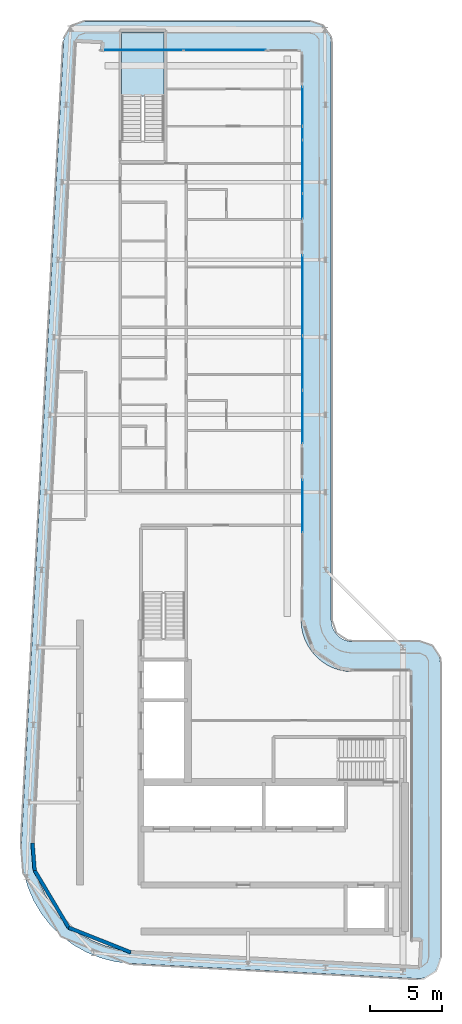
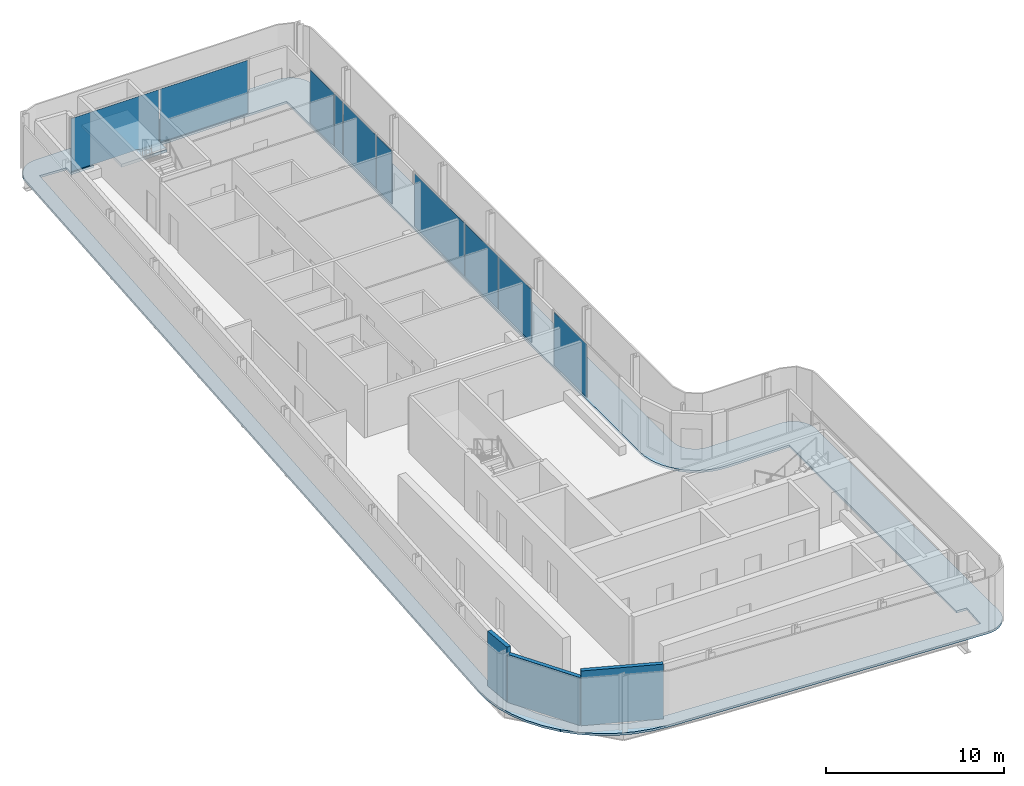
# One storey, part 8 of 17: 10 plates, 3 walls, 2 slabs, 7 elements without a shape of their own.
"""IFC4 building model written with IfcOpenShell, lengths in metres."""

import ifcopenshell
import ifcopenshell.guid

model = None  # the IFC model being written
_history = None  # IfcOwnerHistory: only IFC2X3 demands one
_inside = {}  # id of a spatial element -> (the spatial element, [elements in it])
_under = {}  # id of a project, library or spatial element -> (it, [spatial elements below it])
_declared = {}  # id of a project -> (the project, [libraries it declares])
_typed = {}  # id of a type object -> (the type object, [elements of that type])
_made_of = {}  # id of a material, layer set ... -> (it, [elements and type objects made of it])


def new_model(schema):
    """Start an empty IFC model of exactly this schema.

    Asked for "IFC4X3", IfcOpenShell would pick the latest addendum, in which some entities
    have other attributes; the version numbers below select the first issue.
    IFC2X3 requires an IfcOwnerHistory on every rooted entity: one is made here for all.
    """
    global model, _history
    if schema == "IFC4X3":
        model = ifcopenshell.file(schema_version=(4, 3, 0, 0))
    else:
        model = ifcopenshell.file(schema=schema)
    _inside.clear()
    _under.clear()
    _declared.clear()
    _typed.clear()
    _made_of.clear()
    _history = None
    if model.schema == "IFC2X3":
        org = make("IfcOrganization", Name="unknown")
        user = make(
            "IfcPersonAndOrganization",
            ThePerson=make("IfcPerson", FamilyName="unknown"),
            TheOrganization=org,
        )
        app = make(
            "IfcApplication",
            ApplicationDeveloper=org,
            Version="unknown",
            ApplicationFullName="unknown",
            ApplicationIdentifier="unknown",
        )
        _history = make(
            "IfcOwnerHistory",
            OwningUser=user,
            OwningApplication=app,
            ChangeAction="ADDED",
            CreationDate=0,
        )
    return model


def make(cls, **values):
    """One entity of the class cls with the attributes given. An attribute that is None is left unset."""
    return model.create_entity(
        cls, **{name: value for name, value in values.items() if value is not None}
    )


def rooted(cls, **values):
    """An entity with a GlobalId (a new one), such as an element, a storey or a relation."""
    return make(cls, GlobalId=ifcopenshell.guid.new(), OwnerHistory=_history, **values)


def si_unit(unit_type, name, prefix=None):
    """IfcSIUnit, for example si_unit("LENGTHUNIT", "METRE", prefix="MILLI")."""
    return make("IfcSIUnit", UnitType=unit_type, Prefix=prefix, Name=name)


def assignment(units):
    """IfcUnitAssignment: the units of a project."""
    return None if units is None else make("IfcUnitAssignment", Units=units)


def point(xyz):
    """IfcCartesianPoint."""
    return None if xyz is None else make("IfcCartesianPoint", Coordinates=xyz)


def direction(xyz):
    """IfcDirection."""
    return None if xyz is None else make("IfcDirection", DirectionRatios=xyz)


def frame(location, z_axis=None, x_axis=None):
    """IfcAxis2Placement3D, a coordinate frame: its origin and axes. An axis left out is left unset."""
    return make(
        "IfcAxis2Placement3D",
        Location=point(location),
        Axis=direction(z_axis),
        RefDirection=direction(x_axis),
    )


def frame_2d(location, x_axis=None):
    """IfcAxis2Placement2D, a coordinate frame in the plane: its origin and x axis."""
    return make(
        "IfcAxis2Placement2D", Location=point(location), RefDirection=direction(x_axis)
    )


def origin():
    """The frame at (0, 0, 0) with its axes left unset."""
    return frame((0.0, 0.0, 0.0))


def origin_2d():
    """The frame at (0, 0) in the plane with its x axis left unset."""
    return frame_2d((0.0, 0.0))


def place(relative_to, where):
    """IfcLocalPlacement: puts the frame where relative to a parent placement (None: the world)."""
    return make(
        "IfcLocalPlacement", PlacementRelTo=relative_to, RelativePlacement=where
    )


def context(
    kind, dimensions, precision=None, world=None, true_north=None, identifier=None
):
    """IfcGeometricRepresentationContext, for example the 3D "Model" context."""
    return make(
        "IfcGeometricRepresentationContext",
        ContextIdentifier=identifier,
        ContextType=kind,
        CoordinateSpaceDimension=dimensions,
        Precision=precision,
        WorldCoordinateSystem=world,
        TrueNorth=true_north,
    )


def subcontext(parent, identifier, kind, view, scale=None):
    """IfcGeometricRepresentationSubContext, for example "Body" below "Model"."""
    return make(
        "IfcGeometricRepresentationSubContext",
        ContextIdentifier=identifier,
        ContextType=kind,
        ParentContext=parent,
        TargetScale=scale,
        TargetView=view,
    )


def project(units=None, contexts=None):
    """IfcProject with its units and contexts."""
    return rooted(
        "IfcProject",
        Name="project",
        RepresentationContexts=contexts,
        UnitsInContext=assignment(units),
    )


def spatial(cls, under=None, at=None, **own):
    """A site, building, storey or space (cls), placed at a placement, below another one or the project."""
    s = rooted(cls, ObjectPlacement=at, **own)
    if under is not None:
        _under.setdefault(under.id(), (under, []))[1].append(s)
    return s


def polyline(points):
    """IfcPolyline through the points."""
    return make("IfcPolyline", Points=[point(p) for p in points])


def profile(cls, at=None, kind="AREA", **sizes):
    """A parametric profile (cls). Its sizes go by their IFC names, for example OverallWidth=200.0."""
    return make(cls, ProfileType=kind, Position=at, **sizes)


def rectangle(**sizes):
    """IfcRectangleProfileDef."""
    return profile("IfcRectangleProfileDef", **sizes)


def outline(outer, holes=None, kind="AREA"):
    """IfcArbitraryClosedProfileDef: a profile drawn as a closed curve; with holes, ...WithVoids."""
    if holes is None:
        return make("IfcArbitraryClosedProfileDef", ProfileType=kind, OuterCurve=outer)
    return make(
        "IfcArbitraryProfileDefWithVoids",
        ProfileType=kind,
        OuterCurve=outer,
        InnerCurves=holes,
    )


def extrude(swept, where, along, depth):
    """IfcExtrudedAreaSolid: the profile swept, set in the frame where, extruded along a direction by depth."""
    return make(
        "IfcExtrudedAreaSolid",
        SweptArea=swept,
        Position=where,
        ExtrudedDirection=direction(along),
        Depth=depth,
    )


def shape(context_of_items, identifier, shape_type, items):
    """IfcShapeRepresentation: the items that make up one representation, for example the "Body"."""
    return make(
        "IfcShapeRepresentation",
        ContextOfItems=context_of_items,
        RepresentationIdentifier=identifier,
        RepresentationType=shape_type,
        Items=items,
    )


def material(Name=None, Category=None):
    """IfcMaterial."""
    return make("IfcMaterial", Name=Name, Category=Category)


def layer(
    of_material, thickness, ventilated=None, Name=None, Category=None, Priority=None
):
    """IfcMaterialLayer: one layer of a wall or slab, of a material (None: an air gap)."""
    return make(
        "IfcMaterialLayer",
        Material=of_material,
        LayerThickness=thickness,
        IsVentilated=ventilated,
        Name=Name,
        Category=Category,
        Priority=Priority,
    )


def layer_set(layers, Name=None):
    """IfcMaterialLayerSet."""
    return make("IfcMaterialLayerSet", MaterialLayers=layers, LayerSetName=Name)


def made_of(thing, what):
    """Note that an element or type object is made of a material, layer set ...; save() writes the relation."""
    if what is not None:
        _made_of.setdefault(what.id(), (what, []))[1].append(thing)
    return thing


def type_object(cls, material=None, **own):
    """A type object (cls), such as IfcWallType, which elements share."""
    return made_of(rooted(cls, **own), material)


def element(
    cls,
    number,
    at=None,
    inside=None,
    cuts=None,
    type_object=None,
    material=None,
    context=None,
    identifier="Body",
    shape_type=None,
    held_by="IfcProductDefinitionShape",
    body=None,
    shapes=None,
    **own,
):
    """One element of the class cls, such as IfcWall. Its Tag is "e" and its number.

    at: its placement. inside: the storey or other place that contains it. cuts: it is an
    opening in that element (IfcRelVoidsElement). A single representation is given by context,
    identifier, shape_type and body (its items); several are given by shapes. held_by: the class
    of the entity that holds the representations. save() writes the other relations.
    """
    e = rooted(cls, Tag="e%d" % number, ObjectPlacement=at, **own)
    if body is not None:
        shapes = [shape(context, identifier, shape_type, body)]
    if shapes is not None:
        e.Representation = make(held_by, Representations=shapes)
    if inside is not None:
        _inside.setdefault(inside.id(), (inside, []))[1].append(e)
    if cuts is not None:
        rooted(
            "IfcRelVoidsElement", RelatingBuildingElement=cuts, RelatedOpeningElement=e
        )
    if type_object is not None:
        _typed.setdefault(type_object.id(), (type_object, []))[1].append(e)
    return made_of(e, material)


def aggregate(whole, parts):
    """IfcRelAggregates: a whole, such as a stair, and the parts it consists of."""
    return rooted("IfcRelAggregates", RelatingObject=whole, RelatedObjects=parts)


def save(model, path):
    """Write the relations noted so far, then the file.

    IfcRelAggregates (storeys below a building ...), IfcRelContainedInSpatialStructure (elements
    in a storey), IfcRelDefinesByType, IfcRelAssociatesMaterial and IfcRelDeclares: one each for
    every whole, place, type object, material and project.
    """
    for whole, parts in _under.values():
        aggregate(whole, parts)
    for where, things in _inside.values():
        rooted(
            "IfcRelContainedInSpatialStructure",
            RelatedElements=things,
            RelatingStructure=where,
        )
    for kind, things in _typed.values():
        rooted("IfcRelDefinesByType", RelatedObjects=things, RelatingType=kind)
    for what, things in _made_of.values():
        rooted("IfcRelAssociatesMaterial", RelatedObjects=things, RelatingMaterial=what)
    for by, libraries in _declared.values():
        rooted("IfcRelDeclares", RelatingContext=by, RelatedDefinitions=libraries)
    model.write(path)


model = new_model("IFC4")

# Units and contexts
model_context = context("Model", 3, precision=1e-05, world=origin(), true_north=direction((0.0, 1.0)))
body_context = subcontext(model_context, "Body", "Model", "MODEL_VIEW")
ifc_project = project(units=[si_unit("LENGTHUNIT", "METRE"), si_unit("AREAUNIT", "SQUARE_METRE"), si_unit("VOLUMEUNIT", "CUBIC_METRE"), si_unit("PLANEANGLEUNIT", "RADIAN"), si_unit("MASSUNIT", "GRAM", prefix="KILO")], contexts=[model_context])

# Site, building, storey
site_placement = place(None, origin())
site = spatial("IfcSite", under=ifc_project, at=site_placement, CompositionType="ELEMENT")
building_placement = place(site_placement, origin())
building = spatial("IfcBuilding", under=site, at=building_placement, Name="Kheshtan School and Residences Tower", CompositionType="ELEMENT")
storey_placement = place(building_placement, frame((0.0, 0.0, 346.10009765625)))
storey = spatial("IfcBuildingStorey", under=building, at=storey_placement, Name="L81", CompositionType="ELEMENT", Elevation=346.10009765625)

# Curtain wall, plates
ifc_material_1 = material(Name="Clear low-e glass in thermally broken aluminium frame", Category="aluminium")
ifc_layer_1 = layer(ifc_material_1, 0.199951171875)
ifc_layer_set_1 = layer_set([ifc_layer_1], Name="Curtain wall CW-L")
curtain_wall_type = type_object("IfcCurtainWallType", Name="Curtain wall CW-L", PredefinedType="NOTDEFINED", material=ifc_layer_set_1)
curtain_wall_1_placement = place(storey_placement, origin())
curtain_wall_1 = element("IfcCurtainWall", 1, at=curtain_wall_1_placement, inside=storey, type_object=curtain_wall_type, Name="Curtain wall CWL3", PredefinedType="NOTDEFINED")
ifc_layer_2 = layer(ifc_material_1, 0.031982421875)
ifc_layer_set_2 = layer_set([ifc_layer_2], Name="CW-L glass panel")
plate_type = type_object("IfcPlateType", Name="CW-L glass panel", PredefinedType="CURTAIN_PANEL", material=ifc_layer_set_2)
plate_1_placement = place(storey_placement, frame((34.8330078125, 87.199951171875, 0.0), z_axis=(0.0, 0.0, 1.0), x_axis=(1.0, 0.0, 0.0)))
plate_1 = element("IfcPlate", 2, at=plate_1_placement, type_object=plate_type, Name="CWL3 panel 1.1", PredefinedType="CURTAIN_PANEL", context=body_context, shape_type="SweptSolid", body=[
    extrude(rectangle(XDim=5.697998046875, YDim=0.031982421875, at=origin_2d()), origin(), (0.0, 0.0, 1.0), 3.6298828125),
])
plate_2_placement = place(storey_placement, frame((40.591064453125, 87.199951171875, 0.0), z_axis=(0.0, 0.0, 1.0), x_axis=(1.0, 0.0, 0.0)))
plate_2 = element("IfcPlate", 3, at=plate_2_placement, type_object=plate_type, Name="CWL3 panel 2.1", PredefinedType="CURTAIN_PANEL", context=body_context, shape_type="SweptSolid", body=[
    extrude(rectangle(XDim=5.697998046875, YDim=0.031982421875, at=origin_2d()), origin(), (0.0, 0.0, 1.0), 3.6298828125),
])
aggregate(curtain_wall_1, [plate_1, plate_2])

curtain_wall_2_placement = place(storey_placement, origin())
curtain_wall_2 = element("IfcCurtainWall", 4, at=curtain_wall_2_placement, inside=storey, type_object=curtain_wall_type, Name="Curtain wall CWL4", PredefinedType="NOTDEFINED")
plate_3_placement = place(storey_placement, frame((46.0, 83.284912109375, 0.0), z_axis=(0.0, 0.0, 1.0), x_axis=(0.0, -1.0, 0.0)))
plate_3 = element("IfcPlate", 5, at=plate_3_placement, type_object=plate_type, Name="CWL4 panel 1.1", PredefinedType="CURTAIN_PANEL", context=body_context, shape_type="SweptSolid", body=[
    extrude(rectangle(XDim=2.7099609375, YDim=0.031982421875, at=origin_2d()), origin(), (0.0, 0.0, 1.0), 3.6298828125),
])
plate_4_placement = place(storey_placement, frame((46.0, 81.420654296875, 0.0), z_axis=(0.0, 0.0, 1.0), x_axis=(0.0, -1.0, 0.0)))
plate_4 = element("IfcPlate", 6, at=plate_4_placement, type_object=plate_type, Name="CWL4 panel 2.1", PredefinedType="CURTAIN_PANEL", context=body_context, shape_type="SweptSolid", body=[
    extrude(rectangle(XDim=0.898681640625, YDim=0.031982421875, at=origin_2d()), origin(), (0.0, 0.0, 1.0), 3.6298828125),
])
plate_5_placement = place(storey_placement, frame((46.0, 79.076904296875, 0.0), z_axis=(0.0, 0.0, 1.0), x_axis=(0.0, -1.0, 0.0)))
plate_5 = element("IfcPlate", 7, at=plate_5_placement, type_object=plate_type, Name="CWL4 panel 3.1", PredefinedType="CURTAIN_PANEL", context=body_context, shape_type="SweptSolid", body=[
    extrude(rectangle(XDim=3.668701171875, YDim=0.031982421875, at=origin_2d()), origin(), (0.0, 0.0, 1.0), 3.6298828125),
])
aggregate(curtain_wall_2, [plate_3, plate_4, plate_5])

# Curtain wall, plate
curtain_wall_3_placement = place(storey_placement, origin())
curtain_wall_3 = element("IfcCurtainWall", 8, at=curtain_wall_3_placement, inside=storey, type_object=curtain_wall_type, Name="Curtain wall CWL4j", PredefinedType="NOTDEFINED")
plate_6_placement = place(storey_placement, frame((46.0, 76.3125, 0.0), z_axis=(0.0, 0.0, 1.0), x_axis=(0.0, -1.0, 0.0)))
plate_6 = element("IfcPlate", 9, at=plate_6_placement, type_object=plate_type, Name="CWL4j panel 1.1", PredefinedType="CURTAIN_PANEL", context=body_context, shape_type="SweptSolid", body=[
    extrude(rectangle(XDim=1.739990234375, YDim=0.031982421875, at=origin_2d()), origin(), (0.0, 0.0, 1.0), 3.6298828125),
])
aggregate(curtain_wall_3, [plate_6])

curtain_wall_4_placement = place(storey_placement, origin())
curtain_wall_4 = element("IfcCurtainWall", 10, at=curtain_wall_4_placement, inside=storey, type_object=curtain_wall_type, Name="Curtain wall CWL4k", PredefinedType="NOTDEFINED")
plate_7_placement = place(storey_placement, frame((46.0, 70.123779296875, 0.0), z_axis=(0.0, 0.0, 1.0), x_axis=(0.0, -1.0, 0.0)))
plate_7 = element("IfcPlate", 11, at=plate_7_placement, type_object=plate_type, Name="CWL4k panel 1.1", PredefinedType="CURTAIN_PANEL", context=body_context, shape_type="SweptSolid", body=[
    extrude(rectangle(XDim=5.597412109375, YDim=0.031982421875, at=origin_2d()), origin(), (0.0, 0.0, 1.0), 3.6298828125),
])
aggregate(curtain_wall_4, [plate_7])

# Curtain wall, plates
curtain_wall_5_placement = place(storey_placement, origin())
curtain_wall_5 = element("IfcCurtainWall", 12, at=curtain_wall_5_placement, inside=storey, type_object=curtain_wall_type, Name="Curtain wall CWL4a", PredefinedType="NOTDEFINED")
plate_8_placement = place(storey_placement, frame((46.0, 65.400634765625, 0.0), z_axis=(0.0, 0.0, 1.0), x_axis=(0.0, -1.0, 0.0)))
plate_8 = element("IfcPlate", 13, at=plate_8_placement, type_object=plate_type, Name="CWL4a panel 1.1", PredefinedType="CURTAIN_PANEL", context=body_context, shape_type="SweptSolid", body=[
    extrude(rectangle(XDim=3.728759765625, YDim=0.031982421875, at=origin_2d()), origin(), (0.0, 0.0, 1.0), 3.6298828125),
])
plate_9_placement = place(storey_placement, frame((46.0, 61.641845703125, 0.0), z_axis=(0.0, 0.0, 1.0), x_axis=(0.0, -1.0, 0.0)))
plate_9 = element("IfcPlate", 14, at=plate_9_placement, type_object=plate_type, Name="CWL4a panel 2.1", PredefinedType="CURTAIN_PANEL", context=body_context, shape_type="SweptSolid", body=[
    extrude(rectangle(XDim=3.668701171875, YDim=0.031982421875, at=origin_2d()), origin(), (0.0, 0.0, 1.0), 3.6298828125),
])
aggregate(curtain_wall_5, [plate_8, plate_9])

# Curtain wall, plate
curtain_wall_6_placement = place(storey_placement, origin())
curtain_wall_6 = element("IfcCurtainWall", 15, at=curtain_wall_6_placement, inside=storey, type_object=curtain_wall_type, Name="Curtain wall CWL4a", PredefinedType="NOTDEFINED")
plate_10_placement = place(storey_placement, frame((46.0, 55.453125, 0.0), z_axis=(0.0, 0.0, 1.0), x_axis=(0.0, -1.0, 0.0)))
plate_10 = element("IfcPlate", 16, at=plate_10_placement, type_object=plate_type, Name="CWL4a panel 1.1", PredefinedType="CURTAIN_PANEL", context=body_context, shape_type="SweptSolid", body=[
    extrude(rectangle(XDim=3.668701171875, YDim=0.031982421875, at=origin_2d()), origin(), (0.0, 0.0, 1.0), 3.6298828125),
])
aggregate(curtain_wall_6, [plate_10])

# Slab
ifc_material_2 = material(Name="Concrete C40/50", Category="concrete")
ifc_layer_3 = layer(ifc_material_2, 0.14990234375)
ifc_layer_set_3 = layer_set([ifc_layer_3], Name="Loggia balcony slab 150 Concrete C40/50")
slab_type_1 = type_object("IfcSlabType", Name="Loggia balcony slab 150 Concrete C40/50", PredefinedType="FLOOR", material=ifc_layer_set_3)
slab_1_placement = place(storey_placement, frame((0.0, 0.0, -0.150146484375)))
element("IfcSlab", 17, at=slab_1_placement, inside=storey, type_object=slab_type_1, Name="Loggia balcony slab L81", PredefinedType="FLOOR", context=body_context, shape_type="SweptSolid", body=[
    extrude(outline(polyline([(28.4580078125, 26.222900390625), (28.45703125, 26.222900390625), (28.45703125, 26.22412109375), (28.4560546875, 26.22412109375), (27.81494140625, 27.0390625), (27.281005859375, 27.93798828125), (26.867919921875, 28.89990234375), (26.583984375, 29.89990234375), (26.583984375, 29.906982421875), (26.43408203125, 30.943115234375), (26.419921875, 31.989013671875), (29.35693359375, 87.779052734375), (29.363037109375, 87.826904296875), (29.363037109375, 87.827880859375), (29.362060546875, 87.827880859375), (29.362060546875, 87.8291015625), (29.361083984375, 87.8291015625), (29.361083984375, 87.830078125), (29.360107421875, 87.830078125), (29.360107421875, 87.8310546875), (29.35888671875, 87.8310546875), (29.35888671875, 87.83203125), (29.35888671875, 87.8330078125), (29.376953125, 87.98095703125), (29.376953125, 87.98388671875), (29.376953125, 87.985107421875), (29.3779296875, 87.985107421875), (29.3779296875, 87.986083984375), (29.37890625, 87.986083984375), (29.37890625, 87.987060546875), (29.3798828125, 87.987060546875), (29.381103515625, 87.987060546875), (29.381103515625, 87.988037109375), (29.382080078125, 87.988037109375), (29.382080078125, 87.989013671875), (29.382080078125, 87.990966796875), (29.43505859375, 88.18408203125), (29.514892578125, 88.375), (29.62109375, 88.552978515625), (29.742919921875, 88.70703125), (29.743896484375, 88.70703125), (29.743896484375, 88.7080078125), (29.7451171875, 88.7080078125), (29.7451171875, 88.708984375), (29.74609375, 88.708984375), (29.74609375, 88.7099609375), (29.7470703125, 88.7099609375), (29.7470703125, 88.7109375), (29.748046875, 88.7109375), (29.748046875, 88.7119140625), (29.7490234375, 88.7119140625), (29.7490234375, 88.712890625), (29.75, 88.712890625), (29.751953125, 88.712890625), (29.7529296875, 88.712890625), (29.7529296875, 88.714111328125), (29.89990234375, 88.85693359375), (29.90087890625, 88.85693359375), (29.90087890625, 88.85791015625), (29.902099609375, 88.85791015625), (29.902099609375, 88.85888671875), (29.903076171875, 88.85888671875), (29.903076171875, 88.860107421875), (29.904052734375, 88.860107421875), (29.904052734375, 88.861083984375), (29.905029296875, 88.861083984375), (29.905029296875, 88.862060546875), (29.906005859375, 88.862060546875), (29.906005859375, 88.863037109375), (29.906982421875, 88.863037109375), (29.906982421875, 88.864013671875), (30.068115234375, 88.97705078125), (30.2509765625, 89.072998046875), (30.43896484375, 89.14306640625), (30.446044921875, 89.14306640625), (30.64794921875, 89.18603515625), (30.85498046875, 89.199951171875), (46.5, 89.199951171875), (46.696044921875, 89.18701171875), (46.887939453125, 89.14892578125), (46.89501953125, 89.14892578125), (47.073974609375, 89.0859375), (47.242919921875, 89.0009765625), (47.243896484375, 89.0009765625), (47.2470703125, 89.0009765625), (47.248046875, 89.0009765625), (47.248046875, 89.001953125), (47.2490234375, 89.001953125), (47.2490234375, 89.0029296875), (47.25, 89.0029296875), (47.2529296875, 89.0029296875), (47.25390625, 89.0029296875), (47.25390625, 89.001953125), (47.2548828125, 89.001953125), (47.2548828125, 89.0009765625), (47.256103515625, 89.0009765625), (47.256103515625, 89.0), (47.257080078125, 89.0), (47.257080078125, 88.9990234375), (47.258056640625, 88.9990234375), (47.258056640625, 88.998046875), (47.412109375, 88.89599609375), (47.4130859375, 88.89599609375), (47.4130859375, 88.89501953125), (47.4140625, 88.89501953125), (47.4140625, 88.89404296875), (47.4140625, 88.889892578125), (47.4140625, 88.888916015625), (47.4150390625, 88.888916015625), (47.4150390625, 88.887939453125), (47.416015625, 88.887939453125), (47.416015625, 88.886962890625), (47.4169921875, 88.886962890625), (47.4169921875, 88.885986328125), (47.554931640625, 88.76806640625), (47.554931640625, 88.76708984375), (47.555908203125, 88.76708984375), (47.555908203125, 88.76611328125), (47.556884765625, 88.76611328125), (47.556884765625, 88.764892578125), (47.55810546875, 88.764892578125), (47.55810546875, 88.763916015625), (47.55908203125, 88.763916015625), (47.55908203125, 88.762939453125), (47.56005859375, 88.762939453125), (47.56005859375, 88.761962890625), (47.56103515625, 88.761962890625), (47.56201171875, 88.760986328125), (47.56201171875, 88.760009765625), (47.56298828125, 88.760009765625), (47.56298828125, 88.759033203125), (47.56396484375, 88.759033203125), (47.56396484375, 88.758056640625), (47.56494140625, 88.758056640625), (47.56494140625, 88.757080078125), (47.56591796875, 88.757080078125), (47.56591796875, 88.756103515625), (47.56689453125, 88.756103515625), (47.56689453125, 88.7548828125), (47.568115234375, 88.7548828125), (47.68505859375, 88.617919921875), (47.68603515625, 88.617919921875), (47.68603515625, 88.616943359375), (47.68701171875, 88.616943359375), (47.68701171875, 88.615966796875), (47.68798828125, 88.615966796875), (47.68798828125, 88.614990234375), (47.68896484375, 88.614990234375), (47.68896484375, 88.614013671875), (47.68994140625, 88.614013671875), (47.694091796875, 88.614013671875), (47.695068359375, 88.614013671875), (47.695068359375, 88.613037109375), (47.696044921875, 88.613037109375), (47.696044921875, 88.612060546875), (47.797119140625, 88.458984375), (47.798095703125, 88.458984375), (47.798095703125, 88.4580078125), (47.799072265625, 88.4580078125), (47.799072265625, 88.45703125), (47.800048828125, 88.45703125), (47.800048828125, 88.4560546875), (47.801025390625, 88.4560546875), (47.801025390625, 88.455078125), (47.802001953125, 88.455078125), (47.802001953125, 88.4541015625), (47.802978515625, 88.4541015625), (47.802978515625, 88.452880859375), (47.802978515625, 88.449951171875), (47.802978515625, 88.448974609375), (47.802001953125, 88.448974609375), (47.802001953125, 88.447998046875), (47.801025390625, 88.447998046875), (47.801025390625, 88.447021484375), (47.801025390625, 88.444091796875), (47.801025390625, 88.443115234375), (47.885986328125, 88.27392578125), (47.948974609375, 88.094970703125), (47.948974609375, 88.087890625), (47.987060546875, 87.89599609375), (48.0, 87.699951171875), (48.0, 47.5), (48.012939453125, 47.303955078125), (48.051025390625, 47.113037109375), (48.051025390625, 47.10693359375), (48.051025390625, 47.10595703125), (48.114013671875, 46.926025390625), (48.200927734375, 46.75), (48.31005859375, 46.5869140625), (48.431884765625, 46.444091796875), (48.43310546875, 46.444091796875), (48.43310546875, 46.443115234375), (48.43408203125, 46.443115234375), (48.43408203125, 46.44189453125), (48.43505859375, 46.44189453125), (48.43505859375, 46.44091796875), (48.43603515625, 46.44091796875), (48.43603515625, 46.43994140625), (48.43701171875, 46.43994140625), (48.43701171875, 46.43896484375), (48.43798828125, 46.43896484375), (48.43896484375, 46.43798828125), (48.43896484375, 46.43701171875), (48.43994140625, 46.43701171875), (48.43994140625, 46.43603515625), (48.44091796875, 46.43603515625), (48.44091796875, 46.43505859375), (48.44189453125, 46.43505859375), (48.44189453125, 46.43408203125), (48.443115234375, 46.43408203125), (48.443115234375, 46.43310546875), (48.444091796875, 46.43310546875), (48.444091796875, 46.431884765625), (48.5869140625, 46.31005859375), (48.75, 46.200927734375), (48.926025390625, 46.114013671875), (49.10595703125, 46.051025390625), (49.10693359375, 46.051025390625), (49.113037109375, 46.051025390625), (49.303955078125, 46.012939453125), (49.5, 46.0), (54.10009765625, 46.0), (54.2958984375, 45.987060546875), (54.488037109375, 45.948974609375), (54.4951171875, 45.948974609375), (54.674072265625, 45.885986328125), (54.842041015625, 45.801025390625), (54.843017578125, 45.801025390625), (54.846923828125, 45.801025390625), (54.847900390625, 45.801025390625), (54.847900390625, 45.802001953125), (54.84912109375, 45.802001953125), (54.84912109375, 45.802978515625), (54.85009765625, 45.802978515625), (54.85302734375, 45.802978515625), (54.85400390625, 45.802978515625), (54.85400390625, 45.802001953125), (54.85498046875, 45.802001953125), (54.85498046875, 45.801025390625), (54.85595703125, 45.801025390625), (54.85595703125, 45.800048828125), (54.85693359375, 45.800048828125), (54.85693359375, 45.799072265625), (54.85791015625, 45.799072265625), (54.85791015625, 45.798095703125), (54.85888671875, 45.798095703125), (54.85888671875, 45.797119140625), (54.860107421875, 45.797119140625), (54.860107421875, 45.7958984375), (55.011962890625, 45.696044921875), (55.012939453125, 45.696044921875), (55.012939453125, 45.695068359375), (55.013916015625, 45.695068359375), (55.013916015625, 45.694091796875), (55.013916015625, 45.68994140625), (55.013916015625, 45.68896484375), (55.014892578125, 45.68896484375), (55.014892578125, 45.68798828125), (55.01611328125, 45.68798828125), (55.01611328125, 45.68701171875), (55.01708984375, 45.68701171875), (55.01708984375, 45.68603515625), (55.01806640625, 45.68603515625), (55.01806640625, 45.68505859375), (55.01904296875, 45.68505859375), (55.01904296875, 45.68408203125), (55.155029296875, 45.568115234375), (55.155029296875, 45.56689453125), (55.156005859375, 45.56689453125), (55.156005859375, 45.56591796875), (55.156982421875, 45.56591796875), (55.156982421875, 45.56494140625), (55.157958984375, 45.56494140625), (55.157958984375, 45.56396484375), (55.158935546875, 45.56396484375), (55.158935546875, 45.56298828125), (55.159912109375, 45.56298828125), (55.159912109375, 45.56201171875), (55.160888671875, 45.56201171875), (55.162109375, 45.56103515625), (55.162109375, 45.56005859375), (55.1630859375, 45.56005859375), (55.1630859375, 45.55908203125), (55.1640625, 45.55908203125), (55.1640625, 45.55810546875), (55.1650390625, 45.55810546875), (55.1650390625, 45.556884765625), (55.166015625, 45.556884765625), (55.166015625, 45.555908203125), (55.1669921875, 45.555908203125), (55.1669921875, 45.554931640625), (55.16796875, 45.554931640625), (55.281982421875, 45.4208984375), (55.282958984375, 45.4208984375), (55.282958984375, 45.419921875), (55.283935546875, 45.419921875), (55.283935546875, 45.4189453125), (55.284912109375, 45.4189453125), (55.284912109375, 45.41796875), (55.285888671875, 45.41796875), (55.285888671875, 45.4169921875), (55.287109375, 45.4169921875), (55.287109375, 45.416015625), (55.2880859375, 45.416015625), (55.2880859375, 45.4150390625), (55.2890625, 45.4150390625), (55.2890625, 45.4140625), (55.2900390625, 45.4140625), (55.2939453125, 45.4140625), (55.294921875, 45.4140625), (55.294921875, 45.4130859375), (55.2958984375, 45.4130859375), (55.2958984375, 45.412109375), (55.39404296875, 45.261962890625), (55.39501953125, 45.261962890625), (55.39501953125, 45.260986328125), (55.39599609375, 45.260986328125), (55.39599609375, 45.260009765625), (55.39697265625, 45.260009765625), (55.39697265625, 45.259033203125), (55.39794921875, 45.259033203125), (55.39794921875, 45.258056640625), (55.39892578125, 45.258056640625), (55.39892578125, 45.257080078125), (55.39990234375, 45.257080078125), (55.39990234375, 45.256103515625), (55.40087890625, 45.256103515625), (55.40087890625, 45.2548828125), (55.402099609375, 45.2548828125), (55.402099609375, 45.25390625), (55.403076171875, 45.25390625), (55.403076171875, 45.2529296875), (55.403076171875, 45.25), (55.403076171875, 45.2490234375), (55.402099609375, 45.2490234375), (55.402099609375, 45.248046875), (55.40087890625, 45.248046875), (55.40087890625, 45.2470703125), (55.40087890625, 45.240966796875), (55.40087890625, 45.239990234375), (55.486083984375, 45.073974609375), (55.549072265625, 44.89501953125), (55.549072265625, 44.887939453125), (55.5869140625, 44.696044921875), (55.60009765625, 44.5), (55.60009765625, 24.02294921875), (55.5859375, 23.821044921875), (55.544921875, 23.6220703125), (55.544921875, 23.614990234375), (55.47802734375, 23.430908203125), (55.385986328125, 23.25), (55.27099609375, 23.0849609375), (55.27099609375, 23.083984375), (55.27099609375, 23.0830078125), (55.27099609375, 23.08203125), (55.27197265625, 23.08203125), (55.27197265625, 23.0810546875), (55.27197265625, 23.0791015625), (55.27197265625, 23.077880859375), (55.27099609375, 23.077880859375), (55.27099609375, 23.076904296875), (55.137939453125, 22.93408203125), (55.135009765625, 22.930908203125), (55.134033203125, 22.930908203125), (55.134033203125, 22.929931640625), (55.133056640625, 22.929931640625), (55.131103515625, 22.929931640625), (55.1298828125, 22.929931640625), (55.1298828125, 22.930908203125), (55.12890625, 22.930908203125), (55.1279296875, 22.930908203125), (55.126953125, 22.930908203125), (54.97607421875, 22.805908203125), (54.803955078125, 22.698974609375), (54.618896484375, 22.615966796875), (54.430908203125, 22.55908203125), (54.424072265625, 22.55908203125), (54.22412109375, 22.528076171875), (54.02099609375, 22.52490234375), (33.989013671875, 23.580078125), (33.94189453125, 23.5859375), (33.94091796875, 23.5859375), (33.93994140625, 23.5859375), (33.93994140625, 23.5849609375), (33.93896484375, 23.5849609375), (33.93896484375, 23.583984375), (33.93798828125, 23.583984375), (33.93798828125, 23.5830078125), (33.93701171875, 23.5830078125), (33.93701171875, 23.58203125), (33.93603515625, 23.58203125), (33.93505859375, 23.58203125), (32.952880859375, 23.697998046875), (32.949951171875, 23.697998046875), (32.948974609375, 23.697998046875), (32.948974609375, 23.698974609375), (32.947998046875, 23.698974609375), (32.947998046875, 23.699951171875), (32.947021484375, 23.699951171875), (32.947021484375, 23.700927734375), (32.947021484375, 23.702880859375), (32.947021484375, 23.7041015625), (32.946044921875, 23.7041015625), (32.946044921875, 23.705078125), (32.945068359375, 23.705078125), (32.944091796875, 23.705078125), (31.93603515625, 23.9609375), (31.928955078125, 23.9609375), (30.964111328125, 24.34912109375), (30.051025390625, 24.860107421875), (29.218994140625, 25.47900390625), (29.218994140625, 25.47998046875), (29.218017578125, 25.47998046875), (29.218017578125, 25.48095703125), (29.217041015625, 25.48095703125), (29.217041015625, 25.48193359375), (29.216064453125, 25.48193359375), (29.216064453125, 25.48291015625), (29.215087890625, 25.48291015625), (29.215087890625, 25.48388671875), (29.214111328125, 25.48388671875), (29.214111328125, 25.485107421875), (29.212890625, 25.485107421875), (29.212890625, 25.486083984375), (29.2119140625, 25.486083984375), (28.466064453125, 26.217041015625), (28.466064453125, 26.218017578125), (28.465087890625, 26.218017578125), (28.462890625, 26.218017578125), (28.4619140625, 26.218017578125), (28.4619140625, 26.218994140625), (28.4609375, 26.218994140625), (28.4609375, 26.219970703125), (28.4599609375, 26.219970703125), (28.4599609375, 26.220947265625), (28.458984375, 26.220947265625), (28.458984375, 26.221923828125), (28.4580078125, 26.221923828125), (28.4580078125, 26.222900390625)]), holes=[polyline([(27.466064453125, 30.0869140625), (27.718017578125, 29.200927734375), (28.0849609375, 28.345947265625), (28.55908203125, 27.550048828125), (29.126953125, 26.825927734375), (29.1279296875, 26.825927734375), (29.1279296875, 26.824951171875), (29.12890625, 26.824951171875), (29.12890625, 26.823974609375), (29.1298828125, 26.823974609375), (29.1298828125, 26.822998046875), (29.131103515625, 26.822998046875), (29.131103515625, 26.822021484375), (29.132080078125, 26.822021484375), (29.132080078125, 26.821044921875), (29.133056640625, 26.821044921875), (29.133056640625, 26.820068359375), (29.134033203125, 26.820068359375), (29.794921875, 26.173095703125), (29.794921875, 26.172119140625), (29.7958984375, 26.172119140625), (29.798095703125, 26.172119140625), (29.799072265625, 26.172119140625), (29.799072265625, 26.1708984375), (29.800048828125, 26.1708984375), (29.800048828125, 26.169921875), (29.801025390625, 26.169921875), (29.801025390625, 26.1689453125), (29.802001953125, 26.1689453125), (29.802001953125, 26.16796875), (29.802978515625, 26.16796875), (29.802978515625, 26.1669921875), (29.803955078125, 26.1669921875), (29.803955078125, 26.166015625), (30.541015625, 25.616943359375), (31.35205078125, 25.1630859375), (32.208984375, 24.819091796875), (32.2099609375, 24.819091796875), (32.216064453125, 24.819091796875), (33.114990234375, 24.590087890625), (34.06591796875, 24.47705078125), (54.0380859375, 23.425048828125), (54.06494140625, 23.426025390625), (54.06591796875, 23.426025390625), (54.06689453125, 23.426025390625), (54.06689453125, 23.427001953125), (54.068115234375, 23.427001953125), (54.068115234375, 23.427978515625), (54.068115234375, 23.428955078125), (54.157958984375, 25.117919921875), (54.157958984375, 25.118896484375), (54.157958984375, 25.1201171875), (54.156982421875, 25.1201171875), (54.156982421875, 25.12109375), (54.156005859375, 25.12109375), (54.155029296875, 25.12109375), (53.5009765625, 25.156005859375), (53.5, 25.156005859375), (53.5, 25.156982421875), (53.5, 43.89794921875), (53.5, 43.89892578125), (53.4990234375, 43.89892578125), (53.4990234375, 43.89990234375), (53.498046875, 43.89990234375), (49.429931640625, 43.89990234375), (49.030029296875, 43.927001953125), (48.569091796875, 44.01806640625), (48.56201171875, 44.01806640625), (48.1201171875, 44.169921875), (47.697021484375, 44.37890625), (47.30810546875, 44.638916015625), (46.95703125, 44.944091796875), (46.95703125, 44.945068359375), (46.9560546875, 44.945068359375), (46.9560546875, 44.946044921875), (46.955078125, 44.946044921875), (46.955078125, 44.947021484375), (46.9541015625, 44.947021484375), (46.9541015625, 44.947998046875), (46.952880859375, 44.947998046875), (46.952880859375, 44.948974609375), (46.951904296875, 44.948974609375), (46.951904296875, 44.949951171875), (46.951904296875, 44.950927734375), (46.950927734375, 44.950927734375), (46.950927734375, 44.951904296875), (46.949951171875, 44.951904296875), (46.948974609375, 44.951904296875), (46.948974609375, 44.952880859375), (46.947998046875, 44.952880859375), (46.947998046875, 44.9541015625), (46.947021484375, 44.9541015625), (46.947021484375, 44.955078125), (46.946044921875, 44.955078125), (46.946044921875, 44.9560546875), (46.945068359375, 44.9560546875), (46.945068359375, 44.95703125), (46.944091796875, 44.95703125), (46.638916015625, 45.30810546875), (46.37890625, 45.697021484375), (46.169921875, 46.1201171875), (46.01806640625, 46.56201171875), (46.01806640625, 46.569091796875), (45.927001953125, 47.030029296875), (45.89990234375, 47.429931640625), (45.89990234375, 87.097900390625), (45.89990234375, 87.09912109375), (45.89892578125, 87.09912109375), (45.89892578125, 87.10009765625), (45.89794921875, 87.10009765625), (36.35009765625, 87.10009765625), (36.35009765625, 88.4599609375), (33.39990234375, 88.4599609375), (33.39990234375, 87.10009765625), (31.925048828125, 87.10009765625), (31.924072265625, 87.10009765625), (31.952880859375, 87.638916015625), (31.952880859375, 87.639892578125), (31.952880859375, 87.64111328125), (31.951904296875, 87.64111328125), (31.951904296875, 87.64208984375), (31.950927734375, 87.64208984375), (31.949951171875, 87.64208984375), (30.260986328125, 87.73193359375), (30.260009765625, 87.73193359375), (30.259033203125, 87.73193359375), (30.259033203125, 87.73095703125), (30.258056640625, 87.73095703125), (30.258056640625, 87.72998046875), (30.258056640625, 87.72900390625), (30.25390625, 87.700927734375), (27.320068359375, 31.970947265625), (27.3330078125, 31.013916015625), (27.466064453125, 30.093994140625), (27.466064453125, 30.087890625), (27.466064453125, 30.0869140625)])]), origin(), (0.0, 0.0, 1.0), 0.150146484375),
])

# Stair, slab
stair_type = type_object("IfcStairType", Name="Exit stair, half-turn", PredefinedType="HALF_TURN_STAIR", material=ifc_material_2)
stair_placement = place(storey_placement, origin())
stair = element("IfcStair", 18, at=stair_placement, inside=storey, type_object=stair_type, Name="L81 Protected Exit Stair ST3", PredefinedType="HALF_TURN_STAIR")
ifc_layer_4 = layer(ifc_material_2, 0.199951171875)
ifc_layer_set_4 = layer_set([ifc_layer_4], Name="Stair landing 200 Concrete C40/50")
slab_type_2 = type_object("IfcSlabType", Name="Stair landing 200 Concrete C40/50", PredefinedType="LANDING", material=ifc_layer_set_4)
slab_2_placement = place(storey_placement, frame((0.0, 0.0, 1.75)))
slab_2 = element("IfcSlab", 19, at=slab_2_placement, type_object=slab_type_2, Name="ST3 landing 1", PredefinedType="LANDING", context=body_context, shape_type="SweptSolid", body=[
    extrude(outline(polyline([(36.35009765625, 83.97998046875), (36.35009765625, 88.4599609375), (33.39990234375, 88.4599609375), (33.39990234375, 83.97998046875), (36.35009765625, 83.97998046875)])), origin(), (0.0, 0.0, 1.0), 0.199951171875),
])
aggregate(stair, [slab_2])

# Walls
ifc_material_3 = material(Name="Concrete C40/50 with ceramic cladding and mineral wool insulation", Category="concrete")
ifc_layer_5 = layer(ifc_material_3, 0.25)
ifc_layer_set_5 = layer_set([ifc_layer_5], Name="External wall 250 ceramic clad")
wall_type = type_object("IfcWallType", Name="External wall 250 ceramic clad", PredefinedType="SOLIDWALL", material=ifc_layer_set_5)
wall_1_placement = place(storey_placement, frame((34.0390625, 24.35302734375, 0.0), z_axis=(0.0, 0.0, 1.0), x_axis=(-0.929352825399, 0.369192803184, 0.0)))
element("IfcWall", 20, at=wall_1_placement, inside=storey, type_object=wall_type, Name="External wall L81 13", PredefinedType="SOLIDWALL", context=body_context, shape_type="SweptSolid", body=[
    extrude(rectangle(XDim=4.656005859375, YDim=0.25, at=frame_2d((2.328125, 0.0))), origin(), (0.0, 0.0, 1.0), 3.75),
])
wall_2_placement = place(storey_placement, frame((29.7119140625, 26.072021484375, 0.0), z_axis=(0.0, 0.0, 1.0), x_axis=(-0.511028049012, 0.859564036662, 0.0)))
element("IfcWall", 21, at=wall_2_placement, inside=storey, type_object=wall_type, Name="External wall L81 14", PredefinedType="SOLIDWALL", context=body_context, shape_type="SweptSolid", body=[
    extrude(rectangle(XDim=4.633544921875, YDim=0.25, at=frame_2d((2.31689453125, 0.0))), origin(), (0.0, 0.0, 1.0), 3.29296875),
])
wall_3_placement = place(storey_placement, frame((27.343994140625, 30.054931640625, 0.0), z_axis=(0.0, 0.0, 1.0), x_axis=(-0.077571675317, 0.99698677784, 0.0)))
element("IfcWall", 22, at=wall_3_placement, inside=storey, type_object=wall_type, Name="External wall L81 15", PredefinedType="SOLIDWALL", context=body_context, shape_type="SweptSolid", body=[
    extrude(rectangle(XDim=1.919921875, YDim=0.25, at=frame_2d((0.9599609375, 0.0))), origin(), (0.0, 0.0, 1.0), 3.75),
])

save(model, "model.ifc")
